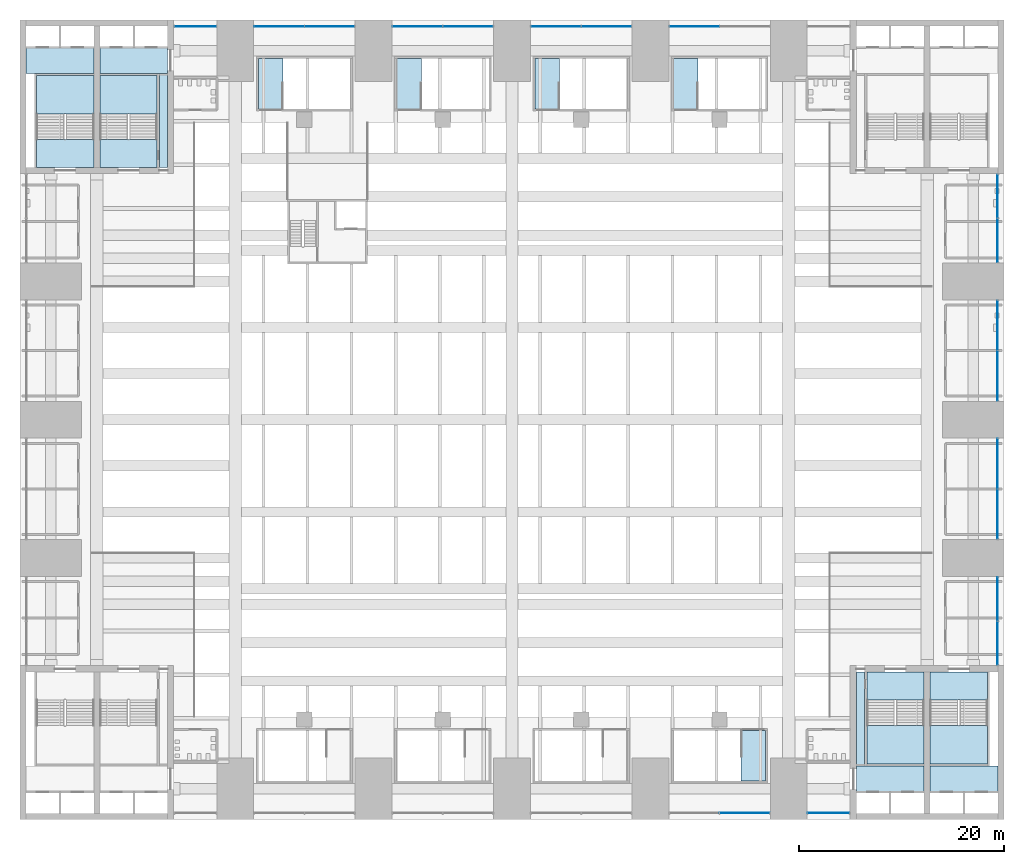
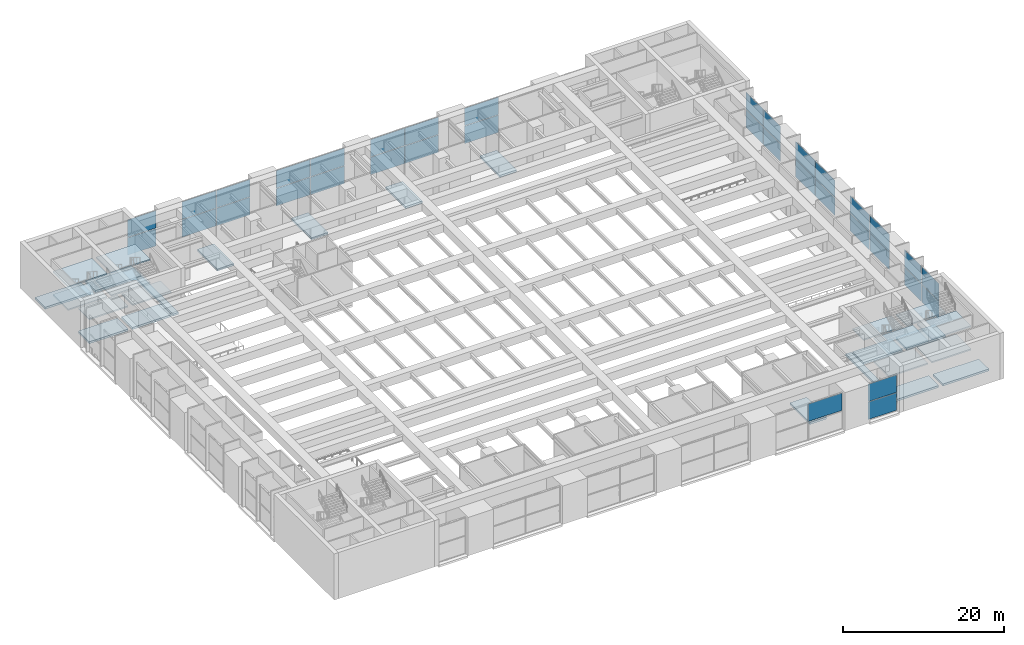
# One storey, part 23 of 45: 35 plates, 27 slabs, 15 elements without a shape of their own.
"""IFC4 building model written with IfcOpenShell, lengths in metres."""

from ifc_helpers import new_model, si_unit, direction, frame, origin, origin_2d, place, context, subcontext, project, spatial, polyline, rectangle, outline, extrude, material, layer, layer_set, type_object, element, aggregate, save


model = new_model("IFC4")

# Units and contexts
model_context = context("Model", 3, precision=1e-05, world=origin(), true_north=direction((0.0, 1.0)))
body_context = subcontext(model_context, "Body", "Model", "MODEL_VIEW")
ifc_project = project(units=[si_unit("LENGTHUNIT", "METRE"), si_unit("AREAUNIT", "SQUARE_METRE"), si_unit("VOLUMEUNIT", "CUBIC_METRE"), si_unit("PLANEANGLEUNIT", "RADIAN"), si_unit("MASSUNIT", "GRAM", prefix="KILO")], contexts=[model_context])

# Site, building, storey
site_placement = place(None, origin())
site = spatial("IfcSite", under=ifc_project, at=site_placement, CompositionType="ELEMENT")
building_placement = place(site_placement, origin())
building = spatial("IfcBuilding", under=site, at=building_placement, Name="Corbelhall Arena Tower", CompositionType="ELEMENT")
storey_placement = place(building_placement, frame((0.0, 0.0, 37.0)))
storey = spatial("IfcBuildingStorey", under=building, at=storey_placement, Name="L05", CompositionType="ELEMENT", Elevation=37.0)

# Stair, slabs
ifc_material_1 = material(Name="Reinforced concrete C40/50", Category="concrete")
stair_type = type_object("IfcStairType", Name="AR-EXIT-STAIR", PredefinedType="HALF_TURN_STAIR", material=ifc_material_1)
stair_1_placement = place(storey_placement, origin())
stair_1 = element("IfcStair", 1, at=stair_1_placement, inside=storey, type_object=stair_type, Name="L05 exit stair AS3", PredefinedType="HALF_TURN_STAIR")
ifc_layer_1 = layer(ifc_material_1, 0.199951171875)
ifc_layer_set_1 = layer_set([ifc_layer_1], Name="AR-EXIT-LANDING")
slab_type_1 = type_object("IfcSlabType", Name="AR-EXIT-LANDING", PredefinedType="LANDING", material=ifc_layer_set_1)
slab_1_placement = place(storey_placement, frame((0.0, 0.0, 1.550048828125)))
slab_1 = element("IfcSlab", 2, at=slab_1_placement, type_object=slab_type_1, Name="AS3 landing 1", PredefinedType="LANDING", context=body_context, shape_type="SweptSolid", body=[
    extrude(outline(polyline([(-34.610107421875, 29.840087890625), (-34.610107421875, 33.60009765625), (-40.199951171875, 33.60009765625), (-40.199951171875, 29.840087890625), (-34.610107421875, 29.840087890625)])), origin(), (0.0, 0.0, 1.0), 0.199951171875),
])
slab_2_placement = place(storey_placement, frame((0.0, 0.0, 3.300048828125)))
slab_2 = element("IfcSlab", 3, at=slab_2_placement, type_object=slab_type_1, Name="AS3 landing 2", PredefinedType="LANDING", context=body_context, shape_type="SweptSolid", body=[
    extrude(outline(polyline([(-34.610107421875, 24.60009765625), (-34.610107421875, 27.320068359375), (-40.199951171875, 27.320068359375), (-40.199951171875, 24.60009765625), (-34.610107421875, 24.60009765625)])), origin(), (0.0, 0.0, 1.0), 0.199951171875),
])
slab_3_placement = place(storey_placement, frame((0.0, 0.0, 5.050048828125)))
slab_3 = element("IfcSlab", 4, at=slab_3_placement, type_object=slab_type_1, Name="AS3 landing 3", PredefinedType="LANDING", context=body_context, shape_type="SweptSolid", body=[
    extrude(outline(polyline([(-34.610107421875, 29.840087890625), (-34.610107421875, 33.60009765625), (-40.199951171875, 33.60009765625), (-40.199951171875, 29.840087890625), (-34.610107421875, 29.840087890625)])), origin(), (0.0, 0.0, 1.0), 0.199951171875),
])
aggregate(stair_1, [slab_1, slab_2, slab_3])

stair_2_placement = place(storey_placement, origin())
stair_2 = element("IfcStair", 5, at=stair_2_placement, inside=storey, type_object=stair_type, Name="L05 exit stair AS4", PredefinedType="HALF_TURN_STAIR")
slab_4_placement = place(storey_placement, frame((0.0, 0.0, 1.550048828125)))
slab_4 = element("IfcSlab", 6, at=slab_4_placement, type_object=slab_type_1, Name="AS4 landing 1", PredefinedType="LANDING", context=body_context, shape_type="SweptSolid", body=[
    extrude(outline(polyline([(-40.800048828125, 29.840087890625), (-40.800048828125, 33.60009765625), (-46.389892578125, 33.60009765625), (-46.389892578125, 29.840087890625), (-40.800048828125, 29.840087890625)])), origin(), (0.0, 0.0, 1.0), 0.199951171875),
])
slab_5_placement = place(storey_placement, frame((0.0, 0.0, 3.300048828125)))
slab_5 = element("IfcSlab", 7, at=slab_5_placement, type_object=slab_type_1, Name="AS4 landing 2", PredefinedType="LANDING", context=body_context, shape_type="SweptSolid", body=[
    extrude(outline(polyline([(-40.800048828125, 24.60009765625), (-40.800048828125, 27.320068359375), (-46.389892578125, 27.320068359375), (-46.389892578125, 24.60009765625), (-40.800048828125, 24.60009765625)])), origin(), (0.0, 0.0, 1.0), 0.199951171875),
])
slab_6_placement = place(storey_placement, frame((0.0, 0.0, 5.050048828125)))
slab_6 = element("IfcSlab", 8, at=slab_6_placement, type_object=slab_type_1, Name="AS4 landing 3", PredefinedType="LANDING", context=body_context, shape_type="SweptSolid", body=[
    extrude(outline(polyline([(-40.800048828125, 29.840087890625), (-40.800048828125, 33.60009765625), (-46.389892578125, 33.60009765625), (-46.389892578125, 29.840087890625), (-40.800048828125, 29.840087890625)])), origin(), (0.0, 0.0, 1.0), 0.199951171875),
])
aggregate(stair_2, [slab_4, slab_5, slab_6])

stair_3_placement = place(storey_placement, origin())
stair_3 = element("IfcStair", 9, at=stair_3_placement, inside=storey, type_object=stair_type, Name="L05 exit stair AS5", PredefinedType="HALF_TURN_STAIR")
slab_7_placement = place(storey_placement, frame((0.0, 0.0, 1.550048828125)))
slab_7 = element("IfcSlab", 10, at=slab_7_placement, type_object=slab_type_1, Name="AS5 landing 1", PredefinedType="LANDING", context=body_context, shape_type="SweptSolid", body=[
    extrude(outline(polyline([(34.610107421875, -29.840087890625), (34.610107421875, -33.60009765625), (40.199951171875, -33.60009765625), (40.199951171875, -29.840087890625), (34.610107421875, -29.840087890625)])), origin(), (0.0, 0.0, 1.0), 0.199951171875),
])
slab_8_placement = place(storey_placement, frame((0.0, 0.0, 3.300048828125)))
slab_8 = element("IfcSlab", 11, at=slab_8_placement, type_object=slab_type_1, Name="AS5 landing 2", PredefinedType="LANDING", context=body_context, shape_type="SweptSolid", body=[
    extrude(outline(polyline([(34.610107421875, -24.60009765625), (34.610107421875, -27.320068359375), (40.199951171875, -27.320068359375), (40.199951171875, -24.60009765625), (34.610107421875, -24.60009765625)])), origin(), (0.0, 0.0, 1.0), 0.199951171875),
])
slab_9_placement = place(storey_placement, frame((0.0, 0.0, 5.050048828125)))
slab_9 = element("IfcSlab", 12, at=slab_9_placement, type_object=slab_type_1, Name="AS5 landing 3", PredefinedType="LANDING", context=body_context, shape_type="SweptSolid", body=[
    extrude(outline(polyline([(34.610107421875, -29.840087890625), (34.610107421875, -33.60009765625), (40.199951171875, -33.60009765625), (40.199951171875, -29.840087890625), (34.610107421875, -29.840087890625)])), origin(), (0.0, 0.0, 1.0), 0.199951171875),
])
aggregate(stair_3, [slab_7, slab_8, slab_9])

stair_4_placement = place(storey_placement, origin())
stair_4 = element("IfcStair", 13, at=stair_4_placement, inside=storey, type_object=stair_type, Name="L05 exit stair AS6", PredefinedType="HALF_TURN_STAIR")
slab_10_placement = place(storey_placement, frame((0.0, 0.0, 1.550048828125)))
slab_10 = element("IfcSlab", 14, at=slab_10_placement, type_object=slab_type_1, Name="AS6 landing 1", PredefinedType="LANDING", context=body_context, shape_type="SweptSolid", body=[
    extrude(outline(polyline([(40.800048828125, -29.840087890625), (40.800048828125, -33.60009765625), (46.389892578125, -33.60009765625), (46.389892578125, -29.840087890625), (40.800048828125, -29.840087890625)])), origin(), (0.0, 0.0, 1.0), 0.199951171875),
])
slab_11_placement = place(storey_placement, frame((0.0, 0.0, 3.300048828125)))
slab_11 = element("IfcSlab", 15, at=slab_11_placement, type_object=slab_type_1, Name="AS6 landing 2", PredefinedType="LANDING", context=body_context, shape_type="SweptSolid", body=[
    extrude(outline(polyline([(40.800048828125, -24.60009765625), (40.800048828125, -27.320068359375), (46.389892578125, -27.320068359375), (46.389892578125, -24.60009765625), (40.800048828125, -24.60009765625)])), origin(), (0.0, 0.0, 1.0), 0.199951171875),
])
slab_12_placement = place(storey_placement, frame((0.0, 0.0, 5.050048828125)))
slab_12 = element("IfcSlab", 16, at=slab_12_placement, type_object=slab_type_1, Name="AS6 landing 3", PredefinedType="LANDING", context=body_context, shape_type="SweptSolid", body=[
    extrude(outline(polyline([(40.800048828125, -29.840087890625), (40.800048828125, -33.60009765625), (46.389892578125, -33.60009765625), (46.389892578125, -29.840087890625), (40.800048828125, -29.840087890625)])), origin(), (0.0, 0.0, 1.0), 0.199951171875),
])
aggregate(stair_4, [slab_10, slab_11, slab_12])

# Slabs
ifc_layer_2 = layer(ifc_material_1, 0.300048828125)
ifc_layer_set_2 = layer_set([ifc_layer_2], Name="AR-STAIR-FLOOR")
slab_type_2 = type_object("IfcSlabType", Name="AR-STAIR-FLOOR", PredefinedType="FLOOR", material=ifc_layer_set_2)
slab_13_placement = place(storey_placement, frame((0.0, 0.0, -0.300048828125)))
element("IfcSlab", 17, at=slab_13_placement, inside=storey, type_object=slab_type_2, Name="Stair AS9 floor", PredefinedType="FLOOR", context=body_context, shape_type="SweptSolid", body=[
    extrude(outline(polyline([(-24.75, 30.300048828125), (-24.75, 35.25), (-22.346923828125, 35.25), (-22.346923828125, 30.300048828125), (-24.75, 30.300048828125)])), origin(), (0.0, 0.0, 1.0), 0.300048828125),
])
slab_14_placement = place(storey_placement, frame((0.0, 0.0, -0.300048828125)))
element("IfcSlab", 18, at=slab_14_placement, inside=storey, type_object=slab_type_2, Name="Stair AS10 floor", PredefinedType="FLOOR", context=body_context, shape_type="SweptSolid", body=[
    extrude(outline(polyline([(-11.25, 30.300048828125), (-11.25, 35.25), (-8.846923828125, 35.25), (-8.846923828125, 30.300048828125), (-11.25, 30.300048828125)])), origin(), (0.0, 0.0, 1.0), 0.300048828125),
])
slab_15_placement = place(storey_placement, frame((0.0, 0.0, -0.300048828125)))
element("IfcSlab", 19, at=slab_15_placement, inside=storey, type_object=slab_type_2, Name="Stair AS11 floor", PredefinedType="FLOOR", context=body_context, shape_type="SweptSolid", body=[
    extrude(outline(polyline([(2.25, 30.300048828125), (2.25, 35.25), (4.653076171875, 35.25), (4.653076171875, 30.300048828125), (2.25, 30.300048828125)])), origin(), (0.0, 0.0, 1.0), 0.300048828125),
])
slab_16_placement = place(storey_placement, frame((0.0, 0.0, -0.300048828125)))
element("IfcSlab", 20, at=slab_16_placement, inside=storey, type_object=slab_type_2, Name="Stair AS12 floor", PredefinedType="FLOOR", context=body_context, shape_type="SweptSolid", body=[
    extrude(outline(polyline([(15.75, 30.300048828125), (15.75, 35.25), (18.153076171875, 35.25), (18.153076171875, 30.300048828125), (15.75, 30.300048828125)])), origin(), (0.0, 0.0, 1.0), 0.300048828125),
])
slab_17_placement = place(storey_placement, frame((0.0, 0.0, -0.300048828125)))
element("IfcSlab", 21, at=slab_17_placement, inside=storey, type_object=slab_type_2, Name="Stair AS16 floor", PredefinedType="FLOOR", context=body_context, shape_type="SweptSolid", body=[
    extrude(outline(polyline([(24.75, -30.300048828125), (24.75, -35.25), (22.346923828125, -35.25), (22.346923828125, -30.300048828125), (24.75, -30.300048828125)])), origin(), (0.0, 0.0, 1.0), 0.300048828125),
])
slab_18_placement = place(storey_placement, frame((0.0, 0.0, -0.300048828125)))
element("IfcSlab", 22, at=slab_18_placement, inside=storey, type_object=slab_type_2, Name="Stair AS3 floor", PredefinedType="FLOOR", context=body_context, shape_type="SweptSolid", body=[
    extrude(outline(polyline([(-34.610107421875, 24.60009765625), (-40.199951171875, 24.60009765625), (-40.199951171875, 27.322998046875), (-34.610107421875, 27.322998046875), (-34.610107421875, 24.60009765625)])), origin(), (0.0, 0.0, 1.0), 0.300048828125),
])
slab_19_placement = place(storey_placement, frame((0.0, 0.0, -0.300048828125)))
element("IfcSlab", 23, at=slab_19_placement, inside=storey, type_object=slab_type_2, Name="Stair AS4 floor", PredefinedType="FLOOR", context=body_context, shape_type="SweptSolid", body=[
    extrude(outline(polyline([(-40.800048828125, 24.60009765625), (-46.389892578125, 24.60009765625), (-46.389892578125, 27.322998046875), (-40.800048828125, 27.322998046875), (-40.800048828125, 24.60009765625)])), origin(), (0.0, 0.0, 1.0), 0.300048828125),
])
slab_20_placement = place(storey_placement, frame((0.0, 0.0, -0.300048828125)))
element("IfcSlab", 24, at=slab_20_placement, inside=storey, type_object=slab_type_2, Name="Stair AS5 floor", PredefinedType="FLOOR", context=body_context, shape_type="SweptSolid", body=[
    extrude(outline(polyline([(34.610107421875, -24.60009765625), (40.199951171875, -24.60009765625), (40.199951171875, -27.322998046875), (34.610107421875, -27.322998046875), (34.610107421875, -24.60009765625)])), origin(), (0.0, 0.0, 1.0), 0.300048828125),
])
slab_21_placement = place(storey_placement, frame((0.0, 0.0, -0.300048828125)))
element("IfcSlab", 25, at=slab_21_placement, inside=storey, type_object=slab_type_2, Name="Stair AS6 floor", PredefinedType="FLOOR", context=body_context, shape_type="SweptSolid", body=[
    extrude(outline(polyline([(40.800048828125, -24.60009765625), (46.389892578125, -24.60009765625), (46.389892578125, -27.322998046875), (40.800048828125, -27.322998046875), (40.800048828125, -24.60009765625)])), origin(), (0.0, 0.0, 1.0), 0.300048828125),
])
slab_22_placement = place(storey_placement, frame((0.0, 0.0, -0.300048828125)))
element("IfcSlab", 26, at=slab_22_placement, inside=storey, type_object=slab_type_2, Name="Lift lobby floor NW", PredefinedType="FLOOR", context=body_context, shape_type="SweptSolid", body=[
    extrude(outline(polyline([(-40.800048828125, 33.800048828125), (-40.800048828125, 36.300048828125), (-47.39990234375, 36.300048828125), (-47.39990234375, 33.800048828125), (-40.800048828125, 33.800048828125)])), origin(), (0.0, 0.0, 1.0), 0.300048828125),
])
slab_23_placement = place(storey_placement, frame((0.0, 0.0, -0.300048828125)))
element("IfcSlab", 27, at=slab_23_placement, inside=storey, type_object=slab_type_2, Name="Lift lobby floor NW", PredefinedType="FLOOR", context=body_context, shape_type="SweptSolid", body=[
    extrude(outline(polyline([(-33.60009765625, 33.800048828125), (-33.60009765625, 36.300048828125), (-40.199951171875, 36.300048828125), (-40.199951171875, 33.800048828125), (-33.60009765625, 33.800048828125)])), origin(), (0.0, 0.0, 1.0), 0.300048828125),
])
slab_24_placement = place(storey_placement, frame((0.0, 0.0, -0.300048828125)))
element("IfcSlab", 28, at=slab_24_placement, inside=storey, type_object=slab_type_2, Name="Lift lobby floor SE", PredefinedType="FLOOR", context=body_context, shape_type="SweptSolid", body=[
    extrude(outline(polyline([(40.199951171875, -36.300048828125), (40.199951171875, -33.800048828125), (33.60009765625, -33.800048828125), (33.60009765625, -36.300048828125), (40.199951171875, -36.300048828125)])), origin(), (0.0, 0.0, 1.0), 0.300048828125),
])
slab_25_placement = place(storey_placement, frame((0.0, 0.0, -0.300048828125)))
element("IfcSlab", 29, at=slab_25_placement, inside=storey, type_object=slab_type_2, Name="Lift lobby floor SE", PredefinedType="FLOOR", context=body_context, shape_type="SweptSolid", body=[
    extrude(outline(polyline([(47.39990234375, -36.300048828125), (47.39990234375, -33.800048828125), (40.800048828125, -33.800048828125), (40.800048828125, -36.300048828125), (47.39990234375, -36.300048828125)])), origin(), (0.0, 0.0, 1.0), 0.300048828125),
])
slab_26_placement = place(storey_placement, frame((0.0, 0.0, -0.300048828125)))
element("IfcSlab", 30, at=slab_26_placement, inside=storey, type_object=slab_type_2, Name="Electrical plant room 02 floor", PredefinedType="FLOOR", context=body_context, shape_type="SweptSolid", body=[
    extrude(outline(polyline([(-33.60009765625, 24.60009765625), (-33.60009765625, 33.699951171875), (-34.409912109375, 33.699951171875), (-34.409912109375, 24.60009765625), (-33.60009765625, 24.60009765625)])), origin(), (0.0, 0.0, 1.0), 0.300048828125),
])
slab_27_placement = place(storey_placement, frame((0.0, 0.0, -0.300048828125)))
element("IfcSlab", 31, at=slab_27_placement, inside=storey, type_object=slab_type_2, Name="Electrical plant room 03 floor", PredefinedType="FLOOR", context=body_context, shape_type="SweptSolid", body=[
    extrude(outline(polyline([(34.409912109375, -33.699951171875), (34.409912109375, -24.60009765625), (33.60009765625, -24.60009765625), (33.60009765625, -33.699951171875), (34.409912109375, -33.699951171875)])), origin(), (0.0, 0.0, 1.0), 0.300048828125),
])

# Curtain wall, plate
ifc_material_2 = material(Name="Aluminium black anodised", Category="aluminium")
ifc_layer_3 = layer(ifc_material_2, 0.239990234375)
ifc_layer_set_3 = layer_set([ifc_layer_3], Name="EV-CW4 Arena concourse glazing")
curtain_wall_type = type_object("IfcCurtainWallType", Name="EV-CW4 Arena concourse glazing", PredefinedType="NOTDEFINED", material=ifc_layer_set_3)
curtain_wall_1_placement = place(storey_placement, origin())
curtain_wall_1 = element("IfcCurtainWall", 32, at=curtain_wall_1_placement, inside=storey, type_object=curtain_wall_type, Name="Curtain wall CW4", PredefinedType="NOTDEFINED")
ifc_material_3 = material(Name="Glass dark tinted laminated", Category="glass")
ifc_layer_4 = layer(ifc_material_3, 0.028076171875)
ifc_layer_set_4 = layer_set([ifc_layer_4], Name="EV-CW4-PANEL")
plate_type = type_object("IfcPlateType", Name="EV-CW4-PANEL", PredefinedType="CURTAIN_PANEL", material=ifc_layer_set_4)
plate_1_placement = place(storey_placement, frame((22.706298828125, -38.3798828125, 2.78759765625), z_axis=(0.0, 0.0, 1.0), x_axis=(1.0, 0.0, 0.0)))
plate_1 = element("IfcPlate", 33, at=plate_1_placement, type_object=plate_type, Name="CW4 panel 2.2", PredefinedType="CURTAIN_PANEL", context=body_context, shape_type="SweptSolid", body=[
    extrude(rectangle(XDim=4.83740234375, YDim=0.028076171875, at=origin_2d()), origin(), (0.0, 0.0, 1.0), 2.637451171875),
])
aggregate(curtain_wall_1, [plate_1])

# Curtain wall, plates
curtain_wall_2_placement = place(storey_placement, origin())
curtain_wall_2 = element("IfcCurtainWall", 34, at=curtain_wall_2_placement, inside=storey, type_object=curtain_wall_type, Name="Curtain wall CW4A", PredefinedType="NOTDEFINED")
plate_2_placement = place(storey_placement, frame((30.89990234375, -38.3798828125, 0.0751953125), z_axis=(0.0, 0.0, 1.0), x_axis=(1.0, 0.0, 0.0)))
plate_2 = element("IfcPlate", 35, at=plate_2_placement, type_object=plate_type, Name="CW4A panel 1.1", PredefinedType="CURTAIN_PANEL", context=body_context, shape_type="SweptSolid", body=[
    extrude(rectangle(XDim=4.050048828125, YDim=0.028076171875, at=origin_2d()), origin(), (0.0, 0.0, 1.0), 2.637451171875),
])
plate_3_placement = place(storey_placement, frame((30.89990234375, -38.3798828125, 2.78759765625), z_axis=(0.0, 0.0, 1.0), x_axis=(1.0, 0.0, 0.0)))
plate_3 = element("IfcPlate", 36, at=plate_3_placement, type_object=plate_type, Name="CW4A panel 1.2", PredefinedType="CURTAIN_PANEL", context=body_context, shape_type="SweptSolid", body=[
    extrude(rectangle(XDim=4.050048828125, YDim=0.028076171875, at=origin_2d()), origin(), (0.0, 0.0, 1.0), 2.637451171875),
])
aggregate(curtain_wall_2, [plate_2, plate_3])

curtain_wall_3_placement = place(storey_placement, origin())
curtain_wall_3 = element("IfcCurtainWall", 37, at=curtain_wall_3_placement, inside=storey, type_object=curtain_wall_type, Name="Curtain wall CW4B", PredefinedType="NOTDEFINED")
plate_4_placement = place(storey_placement, frame((47.3798828125, -21.80615234375, 0.0751953125), z_axis=(0.0, 0.0, 1.0), x_axis=(0.0, 1.0, 0.0)))
plate_4 = element("IfcPlate", 38, at=plate_4_placement, type_object=plate_type, Name="CW4B panel 1.1", PredefinedType="CURTAIN_PANEL", context=body_context, shape_type="SweptSolid", body=[
    extrude(rectangle(XDim=4.237548828125, YDim=0.028076171875, at=origin_2d()), origin(), (0.0, 0.0, 1.0), 2.637451171875),
])
plate_5_placement = place(storey_placement, frame((47.3798828125, -21.80615234375, 2.78759765625), z_axis=(0.0, 0.0, 1.0), x_axis=(0.0, 1.0, 0.0)))
plate_5 = element("IfcPlate", 39, at=plate_5_placement, type_object=plate_type, Name="CW4B panel 1.2", PredefinedType="CURTAIN_PANEL", context=body_context, shape_type="SweptSolid", body=[
    extrude(rectangle(XDim=4.237548828125, YDim=0.028076171875, at=origin_2d()), origin(), (0.0, 0.0, 1.0), 2.637451171875),
])
plate_6_placement = place(storey_placement, frame((47.3798828125, -17.49365234375, 0.0751953125), z_axis=(0.0, 0.0, 1.0), x_axis=(0.0, 1.0, 0.0)))
plate_6 = element("IfcPlate", 40, at=plate_6_placement, type_object=plate_type, Name="CW4B panel 2.1", PredefinedType="CURTAIN_PANEL", context=body_context, shape_type="SweptSolid", body=[
    extrude(rectangle(XDim=4.237548828125, YDim=0.028076171875, at=origin_2d()), origin(), (0.0, 0.0, 1.0), 2.637451171875),
])
plate_7_placement = place(storey_placement, frame((47.3798828125, -17.49365234375, 2.78759765625), z_axis=(0.0, 0.0, 1.0), x_axis=(0.0, 1.0, 0.0)))
plate_7 = element("IfcPlate", 41, at=plate_7_placement, type_object=plate_type, Name="CW4B panel 2.2", PredefinedType="CURTAIN_PANEL", context=body_context, shape_type="SweptSolid", body=[
    extrude(rectangle(XDim=4.237548828125, YDim=0.028076171875, at=origin_2d()), origin(), (0.0, 0.0, 1.0), 2.637451171875),
])
aggregate(curtain_wall_3, [plate_4, plate_5, plate_6, plate_7])

curtain_wall_4_placement = place(storey_placement, origin())
curtain_wall_4 = element("IfcCurtainWall", 42, at=curtain_wall_4_placement, inside=storey, type_object=curtain_wall_type, Name="Curtain wall CW4", PredefinedType="NOTDEFINED")
plate_8_placement = place(storey_placement, frame((47.3798828125, -9.206298828125, 0.0751953125), z_axis=(0.0, 0.0, 1.0), x_axis=(0.0, 1.0, 0.0)))
plate_8 = element("IfcPlate", 43, at=plate_8_placement, type_object=plate_type, Name="CW4 panel 1.1", PredefinedType="CURTAIN_PANEL", context=body_context, shape_type="SweptSolid", body=[
    extrude(rectangle(XDim=4.83740234375, YDim=0.028076171875, at=origin_2d()), origin(), (0.0, 0.0, 1.0), 2.637451171875),
])
plate_9_placement = place(storey_placement, frame((47.3798828125, -9.206298828125, 2.78759765625), z_axis=(0.0, 0.0, 1.0), x_axis=(0.0, 1.0, 0.0)))
plate_9 = element("IfcPlate", 44, at=plate_9_placement, type_object=plate_type, Name="CW4 panel 1.2", PredefinedType="CURTAIN_PANEL", context=body_context, shape_type="SweptSolid", body=[
    extrude(rectangle(XDim=4.83740234375, YDim=0.028076171875, at=origin_2d()), origin(), (0.0, 0.0, 1.0), 2.637451171875),
])
plate_10_placement = place(storey_placement, frame((47.3798828125, -4.293701171875, 0.0751953125), z_axis=(0.0, 0.0, 1.0), x_axis=(0.0, 1.0, 0.0)))
plate_10 = element("IfcPlate", 45, at=plate_10_placement, type_object=plate_type, Name="CW4 panel 2.1", PredefinedType="CURTAIN_PANEL", context=body_context, shape_type="SweptSolid", body=[
    extrude(rectangle(XDim=4.83740234375, YDim=0.028076171875, at=origin_2d()), origin(), (0.0, 0.0, 1.0), 2.637451171875),
])
plate_11_placement = place(storey_placement, frame((47.3798828125, -4.293701171875, 2.78759765625), z_axis=(0.0, 0.0, 1.0), x_axis=(0.0, 1.0, 0.0)))
plate_11 = element("IfcPlate", 46, at=plate_11_placement, type_object=plate_type, Name="CW4 panel 2.2", PredefinedType="CURTAIN_PANEL", context=body_context, shape_type="SweptSolid", body=[
    extrude(rectangle(XDim=4.83740234375, YDim=0.028076171875, at=origin_2d()), origin(), (0.0, 0.0, 1.0), 2.637451171875),
])
aggregate(curtain_wall_4, [plate_8, plate_9, plate_10, plate_11])

curtain_wall_5_placement = place(storey_placement, origin())
curtain_wall_5 = element("IfcCurtainWall", 47, at=curtain_wall_5_placement, inside=storey, type_object=curtain_wall_type, Name="Curtain wall CW4", PredefinedType="NOTDEFINED")
plate_12_placement = place(storey_placement, frame((47.3798828125, 4.293701171875, 0.0751953125), z_axis=(0.0, 0.0, 1.0), x_axis=(0.0, 1.0, 0.0)))
plate_12 = element("IfcPlate", 48, at=plate_12_placement, type_object=plate_type, Name="CW4 panel 1.1", PredefinedType="CURTAIN_PANEL", context=body_context, shape_type="SweptSolid", body=[
    extrude(rectangle(XDim=4.83740234375, YDim=0.028076171875, at=origin_2d()), origin(), (0.0, 0.0, 1.0), 2.637451171875),
])
plate_13_placement = place(storey_placement, frame((47.3798828125, 4.293701171875, 2.78759765625), z_axis=(0.0, 0.0, 1.0), x_axis=(0.0, 1.0, 0.0)))
plate_13 = element("IfcPlate", 49, at=plate_13_placement, type_object=plate_type, Name="CW4 panel 1.2", PredefinedType="CURTAIN_PANEL", context=body_context, shape_type="SweptSolid", body=[
    extrude(rectangle(XDim=4.83740234375, YDim=0.028076171875, at=origin_2d()), origin(), (0.0, 0.0, 1.0), 2.637451171875),
])
plate_14_placement = place(storey_placement, frame((47.3798828125, 9.206298828125, 0.0751953125), z_axis=(0.0, 0.0, 1.0), x_axis=(0.0, 1.0, 0.0)))
plate_14 = element("IfcPlate", 50, at=plate_14_placement, type_object=plate_type, Name="CW4 panel 2.1", PredefinedType="CURTAIN_PANEL", context=body_context, shape_type="SweptSolid", body=[
    extrude(rectangle(XDim=4.83740234375, YDim=0.028076171875, at=origin_2d()), origin(), (0.0, 0.0, 1.0), 2.637451171875),
])
plate_15_placement = place(storey_placement, frame((47.3798828125, 9.206298828125, 2.78759765625), z_axis=(0.0, 0.0, 1.0), x_axis=(0.0, 1.0, 0.0)))
plate_15 = element("IfcPlate", 51, at=plate_15_placement, type_object=plate_type, Name="CW4 panel 2.2", PredefinedType="CURTAIN_PANEL", context=body_context, shape_type="SweptSolid", body=[
    extrude(rectangle(XDim=4.83740234375, YDim=0.028076171875, at=origin_2d()), origin(), (0.0, 0.0, 1.0), 2.637451171875),
])
aggregate(curtain_wall_5, [plate_12, plate_13, plate_14, plate_15])

curtain_wall_6_placement = place(storey_placement, origin())
curtain_wall_6 = element("IfcCurtainWall", 52, at=curtain_wall_6_placement, inside=storey, type_object=curtain_wall_type, Name="Curtain wall CW4B", PredefinedType="NOTDEFINED")
plate_16_placement = place(storey_placement, frame((47.3798828125, 17.49365234375, 0.0751953125), z_axis=(0.0, 0.0, 1.0), x_axis=(0.0, 1.0, 0.0)))
plate_16 = element("IfcPlate", 53, at=plate_16_placement, type_object=plate_type, Name="CW4B panel 1.1", PredefinedType="CURTAIN_PANEL", context=body_context, shape_type="SweptSolid", body=[
    extrude(rectangle(XDim=4.237548828125, YDim=0.028076171875, at=origin_2d()), origin(), (0.0, 0.0, 1.0), 2.637451171875),
])
plate_17_placement = place(storey_placement, frame((47.3798828125, 17.49365234375, 2.78759765625), z_axis=(0.0, 0.0, 1.0), x_axis=(0.0, 1.0, 0.0)))
plate_17 = element("IfcPlate", 54, at=plate_17_placement, type_object=plate_type, Name="CW4B panel 1.2", PredefinedType="CURTAIN_PANEL", context=body_context, shape_type="SweptSolid", body=[
    extrude(rectangle(XDim=4.237548828125, YDim=0.028076171875, at=origin_2d()), origin(), (0.0, 0.0, 1.0), 2.637451171875),
])
plate_18_placement = place(storey_placement, frame((47.3798828125, 21.80615234375, 0.0751953125), z_axis=(0.0, 0.0, 1.0), x_axis=(0.0, 1.0, 0.0)))
plate_18 = element("IfcPlate", 55, at=plate_18_placement, type_object=plate_type, Name="CW4B panel 2.1", PredefinedType="CURTAIN_PANEL", context=body_context, shape_type="SweptSolid", body=[
    extrude(rectangle(XDim=4.237548828125, YDim=0.028076171875, at=origin_2d()), origin(), (0.0, 0.0, 1.0), 2.637451171875),
])
plate_19_placement = place(storey_placement, frame((47.3798828125, 21.80615234375, 2.78759765625), z_axis=(0.0, 0.0, 1.0), x_axis=(0.0, 1.0, 0.0)))
plate_19 = element("IfcPlate", 56, at=plate_19_placement, type_object=plate_type, Name="CW4B panel 2.2", PredefinedType="CURTAIN_PANEL", context=body_context, shape_type="SweptSolid", body=[
    extrude(rectangle(XDim=4.237548828125, YDim=0.028076171875, at=origin_2d()), origin(), (0.0, 0.0, 1.0), 2.637451171875),
])
aggregate(curtain_wall_6, [plate_16, plate_17, plate_18, plate_19])

curtain_wall_7_placement = place(storey_placement, origin())
curtain_wall_7 = element("IfcCurtainWall", 57, at=curtain_wall_7_placement, inside=storey, type_object=curtain_wall_type, Name="Curtain wall CW4", PredefinedType="NOTDEFINED")
plate_20_placement = place(storey_placement, frame((17.793701171875, 38.3798828125, 0.0751953125), z_axis=(0.0, 0.0, 1.0), x_axis=(-1.0, 0.0, 0.0)))
plate_20 = element("IfcPlate", 58, at=plate_20_placement, type_object=plate_type, Name="CW4 panel 2.1", PredefinedType="CURTAIN_PANEL", context=body_context, shape_type="SweptSolid", body=[
    extrude(rectangle(XDim=4.83740234375, YDim=0.028076171875, at=origin_2d()), origin(), (0.0, 0.0, 1.0), 2.637451171875),
])
plate_21_placement = place(storey_placement, frame((17.793701171875, 38.3798828125, 2.78759765625), z_axis=(0.0, 0.0, 1.0), x_axis=(-1.0, 0.0, 0.0)))
plate_21 = element("IfcPlate", 59, at=plate_21_placement, type_object=plate_type, Name="CW4 panel 2.2", PredefinedType="CURTAIN_PANEL", context=body_context, shape_type="SweptSolid", body=[
    extrude(rectangle(XDim=4.83740234375, YDim=0.028076171875, at=origin_2d()), origin(), (0.0, 0.0, 1.0), 2.637451171875),
])
aggregate(curtain_wall_7, [plate_20, plate_21])

curtain_wall_8_placement = place(storey_placement, origin())
curtain_wall_8 = element("IfcCurtainWall", 60, at=curtain_wall_8_placement, inside=storey, type_object=curtain_wall_type, Name="Curtain wall CW4", PredefinedType="NOTDEFINED")
plate_22_placement = place(storey_placement, frame((9.206298828125, 38.3798828125, 0.0751953125), z_axis=(0.0, 0.0, 1.0), x_axis=(-1.0, 0.0, 0.0)))
plate_22 = element("IfcPlate", 61, at=plate_22_placement, type_object=plate_type, Name="CW4 panel 1.1", PredefinedType="CURTAIN_PANEL", context=body_context, shape_type="SweptSolid", body=[
    extrude(rectangle(XDim=4.83740234375, YDim=0.028076171875, at=origin_2d()), origin(), (0.0, 0.0, 1.0), 2.637451171875),
])
plate_23_placement = place(storey_placement, frame((9.206298828125, 38.3798828125, 2.78759765625), z_axis=(0.0, 0.0, 1.0), x_axis=(-1.0, 0.0, 0.0)))
plate_23 = element("IfcPlate", 62, at=plate_23_placement, type_object=plate_type, Name="CW4 panel 1.2", PredefinedType="CURTAIN_PANEL", context=body_context, shape_type="SweptSolid", body=[
    extrude(rectangle(XDim=4.83740234375, YDim=0.028076171875, at=origin_2d()), origin(), (0.0, 0.0, 1.0), 2.637451171875),
])
plate_24_placement = place(storey_placement, frame((4.293701171875, 38.3798828125, 0.0751953125), z_axis=(0.0, 0.0, 1.0), x_axis=(-1.0, 0.0, 0.0)))
plate_24 = element("IfcPlate", 63, at=plate_24_placement, type_object=plate_type, Name="CW4 panel 2.1", PredefinedType="CURTAIN_PANEL", context=body_context, shape_type="SweptSolid", body=[
    extrude(rectangle(XDim=4.83740234375, YDim=0.028076171875, at=origin_2d()), origin(), (0.0, 0.0, 1.0), 2.637451171875),
])
plate_25_placement = place(storey_placement, frame((4.293701171875, 38.3798828125, 2.78759765625), z_axis=(0.0, 0.0, 1.0), x_axis=(-1.0, 0.0, 0.0)))
plate_25 = element("IfcPlate", 64, at=plate_25_placement, type_object=plate_type, Name="CW4 panel 2.2", PredefinedType="CURTAIN_PANEL", context=body_context, shape_type="SweptSolid", body=[
    extrude(rectangle(XDim=4.83740234375, YDim=0.028076171875, at=origin_2d()), origin(), (0.0, 0.0, 1.0), 2.637451171875),
])
aggregate(curtain_wall_8, [plate_22, plate_23, plate_24, plate_25])

curtain_wall_9_placement = place(storey_placement, origin())
curtain_wall_9 = element("IfcCurtainWall", 65, at=curtain_wall_9_placement, inside=storey, type_object=curtain_wall_type, Name="Curtain wall CW4", PredefinedType="NOTDEFINED")
plate_26_placement = place(storey_placement, frame((-4.293701171875, 38.3798828125, 0.0751953125), z_axis=(0.0, 0.0, 1.0), x_axis=(-1.0, 0.0, 0.0)))
plate_26 = element("IfcPlate", 66, at=plate_26_placement, type_object=plate_type, Name="CW4 panel 1.1", PredefinedType="CURTAIN_PANEL", context=body_context, shape_type="SweptSolid", body=[
    extrude(rectangle(XDim=4.83740234375, YDim=0.028076171875, at=origin_2d()), origin(), (0.0, 0.0, 1.0), 2.637451171875),
])
plate_27_placement = place(storey_placement, frame((-4.293701171875, 38.3798828125, 2.78759765625), z_axis=(0.0, 0.0, 1.0), x_axis=(-1.0, 0.0, 0.0)))
plate_27 = element("IfcPlate", 67, at=plate_27_placement, type_object=plate_type, Name="CW4 panel 1.2", PredefinedType="CURTAIN_PANEL", context=body_context, shape_type="SweptSolid", body=[
    extrude(rectangle(XDim=4.83740234375, YDim=0.028076171875, at=origin_2d()), origin(), (0.0, 0.0, 1.0), 2.637451171875),
])
plate_28_placement = place(storey_placement, frame((-9.206298828125, 38.3798828125, 0.0751953125), z_axis=(0.0, 0.0, 1.0), x_axis=(-1.0, 0.0, 0.0)))
plate_28 = element("IfcPlate", 68, at=plate_28_placement, type_object=plate_type, Name="CW4 panel 2.1", PredefinedType="CURTAIN_PANEL", context=body_context, shape_type="SweptSolid", body=[
    extrude(rectangle(XDim=4.83740234375, YDim=0.028076171875, at=origin_2d()), origin(), (0.0, 0.0, 1.0), 2.637451171875),
])
plate_29_placement = place(storey_placement, frame((-9.206298828125, 38.3798828125, 2.78759765625), z_axis=(0.0, 0.0, 1.0), x_axis=(-1.0, 0.0, 0.0)))
plate_29 = element("IfcPlate", 69, at=plate_29_placement, type_object=plate_type, Name="CW4 panel 2.2", PredefinedType="CURTAIN_PANEL", context=body_context, shape_type="SweptSolid", body=[
    extrude(rectangle(XDim=4.83740234375, YDim=0.028076171875, at=origin_2d()), origin(), (0.0, 0.0, 1.0), 2.637451171875),
])
aggregate(curtain_wall_9, [plate_26, plate_27, plate_28, plate_29])

curtain_wall_10_placement = place(storey_placement, origin())
curtain_wall_10 = element("IfcCurtainWall", 70, at=curtain_wall_10_placement, inside=storey, type_object=curtain_wall_type, Name="Curtain wall CW4", PredefinedType="NOTDEFINED")
plate_30_placement = place(storey_placement, frame((-17.793701171875, 38.3798828125, 0.0751953125), z_axis=(0.0, 0.0, 1.0), x_axis=(-1.0, 0.0, 0.0)))
plate_30 = element("IfcPlate", 71, at=plate_30_placement, type_object=plate_type, Name="CW4 panel 1.1", PredefinedType="CURTAIN_PANEL", context=body_context, shape_type="SweptSolid", body=[
    extrude(rectangle(XDim=4.83740234375, YDim=0.028076171875, at=origin_2d()), origin(), (0.0, 0.0, 1.0), 2.637451171875),
])
plate_31_placement = place(storey_placement, frame((-17.793701171875, 38.3798828125, 2.78759765625), z_axis=(0.0, 0.0, 1.0), x_axis=(-1.0, 0.0, 0.0)))
plate_31 = element("IfcPlate", 72, at=plate_31_placement, type_object=plate_type, Name="CW4 panel 1.2", PredefinedType="CURTAIN_PANEL", context=body_context, shape_type="SweptSolid", body=[
    extrude(rectangle(XDim=4.83740234375, YDim=0.028076171875, at=origin_2d()), origin(), (0.0, 0.0, 1.0), 2.637451171875),
])
plate_32_placement = place(storey_placement, frame((-22.706298828125, 38.3798828125, 0.0751953125), z_axis=(0.0, 0.0, 1.0), x_axis=(-1.0, 0.0, 0.0)))
plate_32 = element("IfcPlate", 73, at=plate_32_placement, type_object=plate_type, Name="CW4 panel 2.1", PredefinedType="CURTAIN_PANEL", context=body_context, shape_type="SweptSolid", body=[
    extrude(rectangle(XDim=4.83740234375, YDim=0.028076171875, at=origin_2d()), origin(), (0.0, 0.0, 1.0), 2.637451171875),
])
plate_33_placement = place(storey_placement, frame((-22.706298828125, 38.3798828125, 2.78759765625), z_axis=(0.0, 0.0, 1.0), x_axis=(-1.0, 0.0, 0.0)))
plate_33 = element("IfcPlate", 74, at=plate_33_placement, type_object=plate_type, Name="CW4 panel 2.2", PredefinedType="CURTAIN_PANEL", context=body_context, shape_type="SweptSolid", body=[
    extrude(rectangle(XDim=4.83740234375, YDim=0.028076171875, at=origin_2d()), origin(), (0.0, 0.0, 1.0), 2.637451171875),
])
aggregate(curtain_wall_10, [plate_30, plate_31, plate_32, plate_33])

curtain_wall_11_placement = place(storey_placement, origin())
curtain_wall_11 = element("IfcCurtainWall", 75, at=curtain_wall_11_placement, inside=storey, type_object=curtain_wall_type, Name="Curtain wall CW4A", PredefinedType="NOTDEFINED")
plate_34_placement = place(storey_placement, frame((-30.89990234375, 38.3798828125, 0.0751953125), z_axis=(0.0, 0.0, 1.0), x_axis=(-1.0, 0.0, 0.0)))
plate_34 = element("IfcPlate", 76, at=plate_34_placement, type_object=plate_type, Name="CW4A panel 1.1", PredefinedType="CURTAIN_PANEL", context=body_context, shape_type="SweptSolid", body=[
    extrude(rectangle(XDim=4.050048828125, YDim=0.028076171875, at=origin_2d()), origin(), (0.0, 0.0, 1.0), 2.637451171875),
])
plate_35_placement = place(storey_placement, frame((-30.89990234375, 38.3798828125, 2.78759765625), z_axis=(0.0, 0.0, 1.0), x_axis=(-1.0, 0.0, 0.0)))
plate_35 = element("IfcPlate", 77, at=plate_35_placement, type_object=plate_type, Name="CW4A panel 1.2", PredefinedType="CURTAIN_PANEL", context=body_context, shape_type="SweptSolid", body=[
    extrude(rectangle(XDim=4.050048828125, YDim=0.028076171875, at=origin_2d()), origin(), (0.0, 0.0, 1.0), 2.637451171875),
])
aggregate(curtain_wall_11, [plate_34, plate_35])

save(model, "model.ifc")
